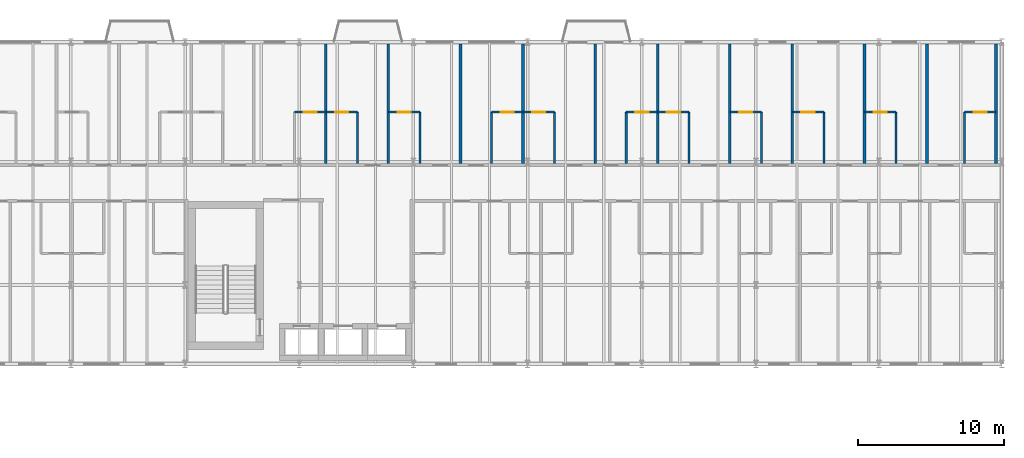
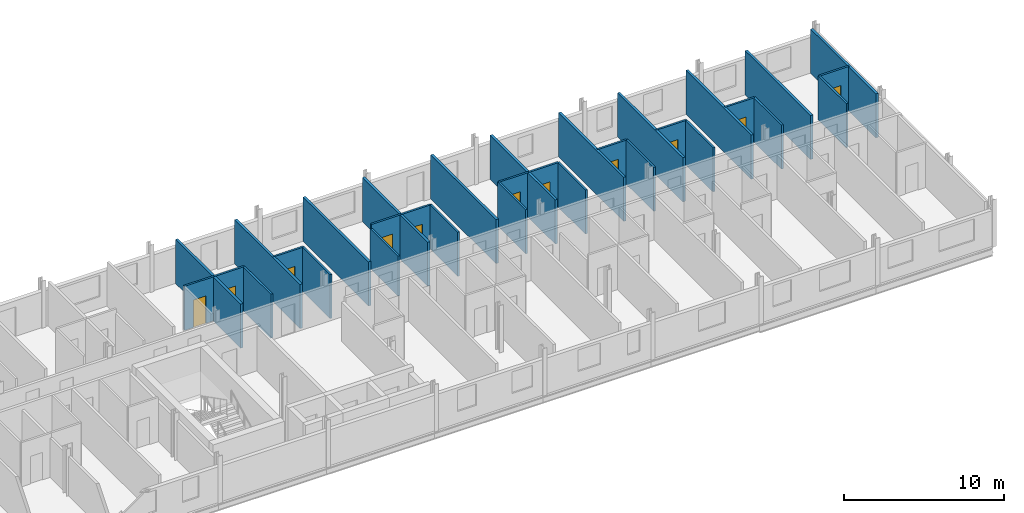
# One storey, part 30 of 34: 32 walls, 11 doors, 11 openings.
"""IFC4 building model written with IfcOpenShell, lengths in metres."""

import ifcopenshell
import ifcopenshell.guid

model = None  # the IFC model being written
_history = None  # IfcOwnerHistory: only IFC2X3 demands one
_inside = {}  # id of a spatial element -> (the spatial element, [elements in it])
_under = {}  # id of a project, library or spatial element -> (it, [spatial elements below it])
_declared = {}  # id of a project -> (the project, [libraries it declares])
_typed = {}  # id of a type object -> (the type object, [elements of that type])
_made_of = {}  # id of a material, layer set ... -> (it, [elements and type objects made of it])


def new_model(schema):
    """Start an empty IFC model of exactly this schema.

    Asked for "IFC4X3", IfcOpenShell would pick the latest addendum, in which some entities
    have other attributes; the version numbers below select the first issue.
    IFC2X3 requires an IfcOwnerHistory on every rooted entity: one is made here for all.
    """
    global model, _history
    if schema == "IFC4X3":
        model = ifcopenshell.file(schema_version=(4, 3, 0, 0))
    else:
        model = ifcopenshell.file(schema=schema)
    _inside.clear()
    _under.clear()
    _declared.clear()
    _typed.clear()
    _made_of.clear()
    _history = None
    if model.schema == "IFC2X3":
        org = make("IfcOrganization", Name="unknown")
        user = make(
            "IfcPersonAndOrganization",
            ThePerson=make("IfcPerson", FamilyName="unknown"),
            TheOrganization=org,
        )
        app = make(
            "IfcApplication",
            ApplicationDeveloper=org,
            Version="unknown",
            ApplicationFullName="unknown",
            ApplicationIdentifier="unknown",
        )
        _history = make(
            "IfcOwnerHistory",
            OwningUser=user,
            OwningApplication=app,
            ChangeAction="ADDED",
            CreationDate=0,
        )
    return model


def make(cls, **values):
    """One entity of the class cls with the attributes given. An attribute that is None is left unset."""
    return model.create_entity(
        cls, **{name: value for name, value in values.items() if value is not None}
    )


def rooted(cls, **values):
    """An entity with a GlobalId (a new one), such as an element, a storey or a relation."""
    return make(cls, GlobalId=ifcopenshell.guid.new(), OwnerHistory=_history, **values)


def si_unit(unit_type, name, prefix=None):
    """IfcSIUnit, for example si_unit("LENGTHUNIT", "METRE", prefix="MILLI")."""
    return make("IfcSIUnit", UnitType=unit_type, Prefix=prefix, Name=name)


def assignment(units):
    """IfcUnitAssignment: the units of a project."""
    return None if units is None else make("IfcUnitAssignment", Units=units)


def point(xyz):
    """IfcCartesianPoint."""
    return None if xyz is None else make("IfcCartesianPoint", Coordinates=xyz)


def direction(xyz):
    """IfcDirection."""
    return None if xyz is None else make("IfcDirection", DirectionRatios=xyz)


def frame(location, z_axis=None, x_axis=None):
    """IfcAxis2Placement3D, a coordinate frame: its origin and axes. An axis left out is left unset."""
    return make(
        "IfcAxis2Placement3D",
        Location=point(location),
        Axis=direction(z_axis),
        RefDirection=direction(x_axis),
    )


def frame_2d(location, x_axis=None):
    """IfcAxis2Placement2D, a coordinate frame in the plane: its origin and x axis."""
    return make(
        "IfcAxis2Placement2D", Location=point(location), RefDirection=direction(x_axis)
    )


def origin():
    """The frame at (0, 0, 0) with its axes left unset."""
    return frame((0.0, 0.0, 0.0))


def place(relative_to, where):
    """IfcLocalPlacement: puts the frame where relative to a parent placement (None: the world)."""
    return make(
        "IfcLocalPlacement", PlacementRelTo=relative_to, RelativePlacement=where
    )


def context(
    kind, dimensions, precision=None, world=None, true_north=None, identifier=None
):
    """IfcGeometricRepresentationContext, for example the 3D "Model" context."""
    return make(
        "IfcGeometricRepresentationContext",
        ContextIdentifier=identifier,
        ContextType=kind,
        CoordinateSpaceDimension=dimensions,
        Precision=precision,
        WorldCoordinateSystem=world,
        TrueNorth=true_north,
    )


def subcontext(parent, identifier, kind, view, scale=None):
    """IfcGeometricRepresentationSubContext, for example "Body" below "Model"."""
    return make(
        "IfcGeometricRepresentationSubContext",
        ContextIdentifier=identifier,
        ContextType=kind,
        ParentContext=parent,
        TargetScale=scale,
        TargetView=view,
    )


def project(units=None, contexts=None):
    """IfcProject with its units and contexts."""
    return rooted(
        "IfcProject",
        Name="project",
        RepresentationContexts=contexts,
        UnitsInContext=assignment(units),
    )


def spatial(cls, under=None, at=None, **own):
    """A site, building, storey or space (cls), placed at a placement, below another one or the project."""
    s = rooted(cls, ObjectPlacement=at, **own)
    if under is not None:
        _under.setdefault(under.id(), (under, []))[1].append(s)
    return s


def profile(cls, at=None, kind="AREA", **sizes):
    """A parametric profile (cls). Its sizes go by their IFC names, for example OverallWidth=200.0."""
    return make(cls, ProfileType=kind, Position=at, **sizes)


def rectangle(**sizes):
    """IfcRectangleProfileDef."""
    return profile("IfcRectangleProfileDef", **sizes)


def extrude(swept, where, along, depth):
    """IfcExtrudedAreaSolid: the profile swept, set in the frame where, extruded along a direction by depth."""
    return make(
        "IfcExtrudedAreaSolid",
        SweptArea=swept,
        Position=where,
        ExtrudedDirection=direction(along),
        Depth=depth,
    )


def shape(context_of_items, identifier, shape_type, items):
    """IfcShapeRepresentation: the items that make up one representation, for example the "Body"."""
    return make(
        "IfcShapeRepresentation",
        ContextOfItems=context_of_items,
        RepresentationIdentifier=identifier,
        RepresentationType=shape_type,
        Items=items,
    )


def material(Name=None, Category=None):
    """IfcMaterial."""
    return make("IfcMaterial", Name=Name, Category=Category)


def layer(
    of_material, thickness, ventilated=None, Name=None, Category=None, Priority=None
):
    """IfcMaterialLayer: one layer of a wall or slab, of a material (None: an air gap)."""
    return make(
        "IfcMaterialLayer",
        Material=of_material,
        LayerThickness=thickness,
        IsVentilated=ventilated,
        Name=Name,
        Category=Category,
        Priority=Priority,
    )


def layer_set(layers, Name=None):
    """IfcMaterialLayerSet."""
    return make("IfcMaterialLayerSet", MaterialLayers=layers, LayerSetName=Name)


def made_of(thing, what):
    """Note that an element or type object is made of a material, layer set ...; save() writes the relation."""
    if what is not None:
        _made_of.setdefault(what.id(), (what, []))[1].append(thing)
    return thing


def type_object(cls, material=None, **own):
    """A type object (cls), such as IfcWallType, which elements share."""
    return made_of(rooted(cls, **own), material)


def element(
    cls,
    number,
    at=None,
    inside=None,
    cuts=None,
    type_object=None,
    material=None,
    context=None,
    identifier="Body",
    shape_type=None,
    held_by="IfcProductDefinitionShape",
    body=None,
    shapes=None,
    **own,
):
    """One element of the class cls, such as IfcWall. Its Tag is "e" and its number.

    at: its placement. inside: the storey or other place that contains it. cuts: it is an
    opening in that element (IfcRelVoidsElement). A single representation is given by context,
    identifier, shape_type and body (its items); several are given by shapes. held_by: the class
    of the entity that holds the representations. save() writes the other relations.
    """
    e = rooted(cls, Tag="e%d" % number, ObjectPlacement=at, **own)
    if body is not None:
        shapes = [shape(context, identifier, shape_type, body)]
    if shapes is not None:
        e.Representation = make(held_by, Representations=shapes)
    if inside is not None:
        _inside.setdefault(inside.id(), (inside, []))[1].append(e)
    if cuts is not None:
        rooted(
            "IfcRelVoidsElement", RelatingBuildingElement=cuts, RelatedOpeningElement=e
        )
    if type_object is not None:
        _typed.setdefault(type_object.id(), (type_object, []))[1].append(e)
    return made_of(e, material)


def fill(opening, filler):
    """IfcRelFillsElement: the door or window that sits in an opening."""
    return rooted(
        "IfcRelFillsElement",
        RelatingOpeningElement=opening,
        RelatedBuildingElement=filler,
    )


def aggregate(whole, parts):
    """IfcRelAggregates: a whole, such as a stair, and the parts it consists of."""
    return rooted("IfcRelAggregates", RelatingObject=whole, RelatedObjects=parts)


def save(model, path):
    """Write the relations noted so far, then the file.

    IfcRelAggregates (storeys below a building ...), IfcRelContainedInSpatialStructure (elements
    in a storey), IfcRelDefinesByType, IfcRelAssociatesMaterial and IfcRelDeclares: one each for
    every whole, place, type object, material and project.
    """
    for whole, parts in _under.values():
        aggregate(whole, parts)
    for where, things in _inside.values():
        rooted(
            "IfcRelContainedInSpatialStructure",
            RelatedElements=things,
            RelatingStructure=where,
        )
    for kind, things in _typed.values():
        rooted("IfcRelDefinesByType", RelatedObjects=things, RelatingType=kind)
    for what, things in _made_of.values():
        rooted("IfcRelAssociatesMaterial", RelatedObjects=things, RelatingMaterial=what)
    for by, libraries in _declared.values():
        rooted("IfcRelDeclares", RelatingContext=by, RelatedDefinitions=libraries)
    model.write(path)


model = new_model("IFC4")

# Units and contexts
model_context = context("Model", 3, precision=1e-05, world=origin(), true_north=direction((0.0, 1.0)))
body_context = subcontext(model_context, "Body", "Model", "MODEL_VIEW")
ifc_project = project(units=[si_unit("LENGTHUNIT", "METRE"), si_unit("AREAUNIT", "SQUARE_METRE"), si_unit("VOLUMEUNIT", "CUBIC_METRE"), si_unit("PLANEANGLEUNIT", "RADIAN"), si_unit("MASSUNIT", "GRAM", prefix="KILO")], contexts=[model_context])

# Site, building, storey
site_placement = place(None, origin())
site = spatial("IfcSite", under=ifc_project, at=site_placement, CompositionType="ELEMENT")
building_placement = place(site_placement, origin())
building = spatial("IfcBuilding", under=site, at=building_placement, Name="Sefraquen Railside Congress Hotel", CompositionType="ELEMENT")
storey_placement = place(building_placement, frame((0.0, 0.0, 31.800048828125)))
storey = spatial("IfcBuildingStorey", under=building, at=storey_placement, Name="L07", CompositionType="ELEMENT", Elevation=31.800048828125)

# Wall, opening, door
ifc_material_1 = material(Name="Moisture-resistant gypsum board", Category="gypsum")
ifc_layer_1 = layer(ifc_material_1, 0.139892578125)
ifc_layer_set_1 = layer_set([ifc_layer_1], Name="Moisture-resistant gypsum board")
wall_type_1 = type_object("IfcWallType", Name="TW-PW-140", PredefinedType="PARTITIONING", material=ifc_layer_set_1)
wall_1_placement = place(storey_placement, frame((71.669921875, 113.199951171875, 0.0), z_axis=(0.0, 0.0, 1.0), x_axis=(1.0, 0.0, 0.0)))
wall_1 = element("IfcWall", 1, at=wall_1_placement, inside=storey, type_object=wall_type_1, Name="En-suite bathroom north wall RM-011", PredefinedType="PARTITIONING", context=body_context, shape_type="SweptSolid", body=[
    extrude(rectangle(XDim=2.150146484375, YDim=0.139892578125, at=frame_2d((1.0751953125, 0.0))), origin(), (0.0, 0.0, 1.0), 3.35986328125),
])
opening_1_placement = place(wall_1_placement, frame((0.625, 0.0, 0.0)))
opening_1 = element("IfcOpeningElement", 2, at=opening_1_placement, cuts=wall_1, Name="Opening ID-02", PredefinedType="OPENING", context=body_context, shape_type="SweptSolid", body=[
    extrude(rectangle(XDim=0.89990234375, YDim=2.10009765625, at=frame_2d((0.449951171875, 1.050048828125))), frame((0.0, 0.079833984375, 0.0), z_axis=(0.0, -1.0, 0.0), x_axis=(1.0, 0.0, 0.0)), (0.0, 0.0, 1.0), 0.159912109375),
])
ifc_material_2 = material(Name="Lacquered cedar joinery", Category="wood")
door_type = type_object("IfcDoorType", Name="TD-ID-02", OperationType="NOTDEFINED", PredefinedType="DOOR", material=ifc_material_2)
door_1_placement = place(opening_1_placement, origin())
door_1 = element("IfcDoor", 3, at=door_1_placement, inside=storey, type_object=door_type, Name="En-suite bathroom door RM-011", OperationType="SINGLE_SWING_LEFT", OverallHeight=2.10009765625, OverallWidth=0.89990234375, PredefinedType="DOOR", context=body_context, shape_type="SweptSolid", body=[
    extrude(rectangle(XDim=0.89990234375, YDim=2.10009765625, at=frame_2d((0.449951171875, 1.050048828125))), frame((0.0, 0.02490234375, 0.0), z_axis=(0.0, -1.0, 0.0), x_axis=(1.0, 0.0, 0.0)), (0.0, 0.0, 1.0), 0.050048828125),
])
fill(opening_1, door_1)

# Wall
wall_2_placement = place(storey_placement, frame((75.969970703125, 109.699951171875, 0.0), z_axis=(0.0, 0.0, 1.0), x_axis=(0.0, 1.0, 0.0)))
element("IfcWall", 4, at=wall_2_placement, inside=storey, type_object=wall_type_1, Name="En-suite bathroom east wall RM-012", PredefinedType="PARTITIONING", context=body_context, shape_type="SweptSolid", body=[
    extrude(rectangle(XDim=3.5, YDim=0.139892578125, at=frame_2d((1.75, 0.0))), origin(), (0.0, 0.0, 1.0), 3.35986328125),
])

# Wall, opening, door
wall_3_placement = place(storey_placement, frame((73.820068359375, 113.199951171875, 0.0), z_axis=(0.0, 0.0, 1.0), x_axis=(1.0, 0.0, 0.0)))
wall_3 = element("IfcWall", 5, at=wall_3_placement, inside=storey, type_object=wall_type_1, Name="En-suite bathroom north wall RM-012", PredefinedType="PARTITIONING", context=body_context, shape_type="SweptSolid", body=[
    extrude(rectangle(XDim=2.14990234375, YDim=0.139892578125, at=frame_2d((1.074951171875, 0.0))), origin(), (0.0, 0.0, 1.0), 3.35986328125),
])
opening_2_placement = place(wall_3_placement, frame((0.625, 0.0, 0.0)))
opening_2 = element("IfcOpeningElement", 6, at=opening_2_placement, cuts=wall_3, Name="Opening ID-02", PredefinedType="OPENING", context=body_context, shape_type="SweptSolid", body=[
    extrude(rectangle(XDim=0.89990234375, YDim=2.10009765625, at=frame_2d((0.449951171875, 1.050048828125))), frame((0.0, 0.079833984375, 0.0), z_axis=(0.0, -1.0, 0.0), x_axis=(1.0, 0.0, 0.0)), (0.0, 0.0, 1.0), 0.159912109375),
])
door_2_placement = place(opening_2_placement, origin())
door_2 = element("IfcDoor", 7, at=door_2_placement, inside=storey, type_object=door_type, Name="En-suite bathroom door RM-012", OperationType="SINGLE_SWING_LEFT", OverallHeight=2.10009765625, OverallWidth=0.89990234375, PredefinedType="DOOR", context=body_context, shape_type="SweptSolid", body=[
    extrude(rectangle(XDim=0.89990234375, YDim=2.10009765625, at=frame_2d((0.449951171875, 1.050048828125))), frame((0.0, 0.02490234375, 0.0), z_axis=(0.0, -1.0, 0.0), x_axis=(1.0, 0.0, 0.0)), (0.0, 0.0, 1.0), 0.050048828125),
])
fill(opening_2, door_2)

# Wall
wall_4_placement = place(storey_placement, frame((80.239990234375, 109.699951171875, 0.0), z_axis=(0.0, 0.0, 1.0), x_axis=(0.0, 1.0, 0.0)))
element("IfcWall", 8, at=wall_4_placement, inside=storey, type_object=wall_type_1, Name="En-suite bathroom east wall RM-013", PredefinedType="PARTITIONING", context=body_context, shape_type="SweptSolid", body=[
    extrude(rectangle(XDim=3.5, YDim=0.139892578125, at=frame_2d((1.75, 0.0))), origin(), (0.0, 0.0, 1.0), 3.35986328125),
])

# Wall, opening, door
wall_5_placement = place(storey_placement, frame((78.090087890625, 113.199951171875, 0.0), z_axis=(0.0, 0.0, 1.0), x_axis=(1.0, 0.0, 0.0)))
wall_5 = element("IfcWall", 9, at=wall_5_placement, inside=storey, type_object=wall_type_1, Name="En-suite bathroom north wall RM-013", PredefinedType="PARTITIONING", context=body_context, shape_type="SweptSolid", body=[
    extrude(rectangle(XDim=2.14990234375, YDim=0.139892578125, at=frame_2d((1.074951171875, 0.0))), origin(), (0.0, 0.0, 1.0), 3.35986328125),
])
opening_3_placement = place(wall_5_placement, frame((0.625, 0.0, 0.0)))
opening_3 = element("IfcOpeningElement", 10, at=opening_3_placement, cuts=wall_5, Name="Opening ID-02", PredefinedType="OPENING", context=body_context, shape_type="SweptSolid", body=[
    extrude(rectangle(XDim=0.89990234375, YDim=2.10009765625, at=frame_2d((0.449951171875, 1.050048828125))), frame((0.0, 0.079833984375, 0.0), z_axis=(0.0, -1.0, 0.0), x_axis=(1.0, 0.0, 0.0)), (0.0, 0.0, 1.0), 0.159912109375),
])
door_3_placement = place(opening_3_placement, origin())
door_3 = element("IfcDoor", 11, at=door_3_placement, inside=storey, type_object=door_type, Name="En-suite bathroom door RM-013", OperationType="SINGLE_SWING_LEFT", OverallHeight=2.10009765625, OverallWidth=0.89990234375, PredefinedType="DOOR", context=body_context, shape_type="SweptSolid", body=[
    extrude(rectangle(XDim=0.89990234375, YDim=2.10009765625, at=frame_2d((0.449951171875, 1.050048828125))), frame((0.0, 0.02490234375, 0.0), z_axis=(0.0, -1.0, 0.0), x_axis=(1.0, 0.0, 0.0)), (0.0, 0.0, 1.0), 0.050048828125),
])
fill(opening_3, door_3)

# Wall
wall_6_placement = place(storey_placement, frame((85.139892578125, 109.699951171875, 0.0), z_axis=(0.0, 0.0, 1.0), x_axis=(0.0, 1.0, 0.0)))
element("IfcWall", 12, at=wall_6_placement, inside=storey, type_object=wall_type_1, Name="En-suite bathroom west wall RM-014", PredefinedType="PARTITIONING", context=body_context, shape_type="SweptSolid", body=[
    extrude(rectangle(XDim=3.5, YDim=0.139892578125, at=frame_2d((1.75, 0.0))), origin(), (0.0, 0.0, 1.0), 3.050048828125),
])

# Wall, opening, door
wall_7_placement = place(storey_placement, frame((85.139892578125, 113.199951171875, 0.0), z_axis=(0.0, 0.0, 1.0), x_axis=(1.0, 0.0, 0.0)))
wall_7 = element("IfcWall", 13, at=wall_7_placement, inside=storey, type_object=wall_type_1, Name="En-suite bathroom north wall RM-014", PredefinedType="PARTITIONING", context=body_context, shape_type="SweptSolid", body=[
    extrude(rectangle(XDim=2.150146484375, YDim=0.139892578125, at=frame_2d((1.0751953125, 0.0))), origin(), (0.0, 0.0, 1.0), 3.35986328125),
])
opening_4_placement = place(wall_7_placement, frame((0.625, 0.0, 0.0)))
opening_4 = element("IfcOpeningElement", 14, at=opening_4_placement, cuts=wall_7, Name="Opening ID-02", PredefinedType="OPENING", context=body_context, shape_type="SweptSolid", body=[
    extrude(rectangle(XDim=0.89990234375, YDim=2.10009765625, at=frame_2d((0.449951171875, 1.050048828125))), frame((0.0, 0.079833984375, 0.0), z_axis=(0.0, -1.0, 0.0), x_axis=(1.0, 0.0, 0.0)), (0.0, 0.0, 1.0), 0.159912109375),
])
door_4_placement = place(opening_4_placement, origin())
door_4 = element("IfcDoor", 15, at=door_4_placement, inside=storey, type_object=door_type, Name="En-suite bathroom door RM-014", OperationType="SINGLE_SWING_LEFT", OverallHeight=2.10009765625, OverallWidth=0.89990234375, PredefinedType="DOOR", context=body_context, shape_type="SweptSolid", body=[
    extrude(rectangle(XDim=0.89990234375, YDim=2.10009765625, at=frame_2d((0.449951171875, 1.050048828125))), frame((0.0, 0.02490234375, 0.0), z_axis=(0.0, -1.0, 0.0), x_axis=(1.0, 0.0, 0.0)), (0.0, 0.0, 1.0), 0.050048828125),
])
fill(opening_4, door_4)

# Wall
wall_8_placement = place(storey_placement, frame((89.43994140625, 109.699951171875, 0.0), z_axis=(0.0, 0.0, 1.0), x_axis=(0.0, 1.0, 0.0)))
element("IfcWall", 16, at=wall_8_placement, inside=storey, type_object=wall_type_1, Name="En-suite bathroom east wall RM-015", PredefinedType="PARTITIONING", context=body_context, shape_type="SweptSolid", body=[
    extrude(rectangle(XDim=3.5, YDim=0.139892578125, at=frame_2d((1.75, 0.0))), origin(), (0.0, 0.0, 1.0), 3.35986328125),
])

# Wall, opening, door
wall_9_placement = place(storey_placement, frame((87.2900390625, 113.199951171875, 0.0), z_axis=(0.0, 0.0, 1.0), x_axis=(1.0, 0.0, 0.0)))
wall_9 = element("IfcWall", 17, at=wall_9_placement, inside=storey, type_object=wall_type_1, Name="En-suite bathroom north wall RM-015", PredefinedType="PARTITIONING", context=body_context, shape_type="SweptSolid", body=[
    extrude(rectangle(XDim=2.14990234375, YDim=0.139892578125, at=frame_2d((1.074951171875, 0.0))), origin(), (0.0, 0.0, 1.0), 3.35986328125),
])
opening_5_placement = place(wall_9_placement, frame((0.625, 0.0, 0.0)))
opening_5 = element("IfcOpeningElement", 18, at=opening_5_placement, cuts=wall_9, Name="Opening ID-02", PredefinedType="OPENING", context=body_context, shape_type="SweptSolid", body=[
    extrude(rectangle(XDim=0.89990234375, YDim=2.10009765625, at=frame_2d((0.449951171875, 1.050048828125))), frame((0.0, 0.079833984375, 0.0), z_axis=(0.0, -1.0, 0.0), x_axis=(1.0, 0.0, 0.0)), (0.0, 0.0, 1.0), 0.159912109375),
])
door_5_placement = place(opening_5_placement, origin())
door_5 = element("IfcDoor", 19, at=door_5_placement, inside=storey, type_object=door_type, Name="En-suite bathroom door RM-015", OperationType="SINGLE_SWING_LEFT", OverallHeight=2.10009765625, OverallWidth=0.89990234375, PredefinedType="DOOR", context=body_context, shape_type="SweptSolid", body=[
    extrude(rectangle(XDim=0.89990234375, YDim=2.10009765625, at=frame_2d((0.449951171875, 1.050048828125))), frame((0.0, 0.02490234375, 0.0), z_axis=(0.0, -1.0, 0.0), x_axis=(1.0, 0.0, 0.0)), (0.0, 0.0, 1.0), 0.050048828125),
])
fill(opening_5, door_5)

# Wall
wall_10_placement = place(storey_placement, frame((94.340087890625, 109.699951171875, 0.0), z_axis=(0.0, 0.0, 1.0), x_axis=(0.0, 1.0, 0.0)))
element("IfcWall", 20, at=wall_10_placement, inside=storey, type_object=wall_type_1, Name="En-suite bathroom west wall RM-016", PredefinedType="PARTITIONING", context=body_context, shape_type="SweptSolid", body=[
    extrude(rectangle(XDim=3.5, YDim=0.139892578125, at=frame_2d((1.75, 0.0))), origin(), (0.0, 0.0, 1.0), 3.35986328125),
])

# Wall, opening, door
wall_11_placement = place(storey_placement, frame((94.340087890625, 113.199951171875, 0.0), z_axis=(0.0, 0.0, 1.0), x_axis=(1.0, 0.0, 0.0)))
wall_11 = element("IfcWall", 21, at=wall_11_placement, inside=storey, type_object=wall_type_1, Name="En-suite bathroom north wall RM-016", PredefinedType="PARTITIONING", context=body_context, shape_type="SweptSolid", body=[
    extrude(rectangle(XDim=2.14990234375, YDim=0.139892578125, at=frame_2d((1.074951171875, 0.0))), origin(), (0.0, 0.0, 1.0), 3.35986328125),
])
opening_6_placement = place(wall_11_placement, frame((0.625, 0.0, 0.0)))
opening_6 = element("IfcOpeningElement", 22, at=opening_6_placement, cuts=wall_11, Name="Opening ID-02", PredefinedType="OPENING", context=body_context, shape_type="SweptSolid", body=[
    extrude(rectangle(XDim=0.89990234375, YDim=2.10009765625, at=frame_2d((0.449951171875, 1.050048828125))), frame((0.0, 0.079833984375, 0.0), z_axis=(0.0, -1.0, 0.0), x_axis=(1.0, 0.0, 0.0)), (0.0, 0.0, 1.0), 0.159912109375),
])
door_6_placement = place(opening_6_placement, origin())
door_6 = element("IfcDoor", 23, at=door_6_placement, inside=storey, type_object=door_type, Name="En-suite bathroom door RM-016", OperationType="SINGLE_SWING_LEFT", OverallHeight=2.10009765625, OverallWidth=0.89990234375, PredefinedType="DOOR", context=body_context, shape_type="SweptSolid", body=[
    extrude(rectangle(XDim=0.89990234375, YDim=2.10009765625, at=frame_2d((0.449951171875, 1.050048828125))), frame((0.0, 0.02490234375, 0.0), z_axis=(0.0, -1.0, 0.0), x_axis=(1.0, 0.0, 0.0)), (0.0, 0.0, 1.0), 0.050048828125),
])
fill(opening_6, door_6)

# Wall
wall_12_placement = place(storey_placement, frame((98.639892578125, 109.699951171875, 0.0), z_axis=(0.0, 0.0, 1.0), x_axis=(0.0, 1.0, 0.0)))
element("IfcWall", 24, at=wall_12_placement, inside=storey, type_object=wall_type_1, Name="En-suite bathroom east wall RM-017", PredefinedType="PARTITIONING", context=body_context, shape_type="SweptSolid", body=[
    extrude(rectangle(XDim=3.5, YDim=0.139892578125, at=frame_2d((1.75, 0.0))), origin(), (0.0, 0.0, 1.0), 3.35986328125),
])

# Wall, opening, door
wall_13_placement = place(storey_placement, frame((96.489990234375, 113.199951171875, 0.0), z_axis=(0.0, 0.0, 1.0), x_axis=(1.0, 0.0, 0.0)))
wall_13 = element("IfcWall", 25, at=wall_13_placement, inside=storey, type_object=wall_type_1, Name="En-suite bathroom north wall RM-017", PredefinedType="PARTITIONING", context=body_context, shape_type="SweptSolid", body=[
    extrude(rectangle(XDim=2.14990234375, YDim=0.139892578125, at=frame_2d((1.074951171875, 0.0))), origin(), (0.0, 0.0, 1.0), 3.35986328125),
])
opening_7_placement = place(wall_13_placement, frame((0.625, 0.0, 0.0)))
opening_7 = element("IfcOpeningElement", 26, at=opening_7_placement, cuts=wall_13, Name="Opening ID-02", PredefinedType="OPENING", context=body_context, shape_type="SweptSolid", body=[
    extrude(rectangle(XDim=0.89990234375, YDim=2.10009765625, at=frame_2d((0.449951171875, 1.050048828125))), frame((0.0, 0.079833984375, 0.0), z_axis=(0.0, -1.0, 0.0), x_axis=(1.0, 0.0, 0.0)), (0.0, 0.0, 1.0), 0.159912109375),
])
door_7_placement = place(opening_7_placement, origin())
door_7 = element("IfcDoor", 27, at=door_7_placement, inside=storey, type_object=door_type, Name="En-suite bathroom door RM-017", OperationType="SINGLE_SWING_LEFT", OverallHeight=2.10009765625, OverallWidth=0.89990234375, PredefinedType="DOOR", context=body_context, shape_type="SweptSolid", body=[
    extrude(rectangle(XDim=0.89990234375, YDim=2.10009765625, at=frame_2d((0.449951171875, 1.050048828125))), frame((0.0, 0.02490234375, 0.0), z_axis=(0.0, -1.0, 0.0), x_axis=(1.0, 0.0, 0.0)), (0.0, 0.0, 1.0), 0.050048828125),
])
fill(opening_7, door_7)

# Wall
wall_14_placement = place(storey_placement, frame((103.570068359375, 109.699951171875, 0.0), z_axis=(0.0, 0.0, 1.0), x_axis=(0.0, 1.0, 0.0)))
element("IfcWall", 28, at=wall_14_placement, inside=storey, type_object=wall_type_1, Name="En-suite bathroom east wall RM-018", PredefinedType="PARTITIONING", context=body_context, shape_type="SweptSolid", body=[
    extrude(rectangle(XDim=3.5, YDim=0.139892578125, at=frame_2d((1.75, 0.0))), origin(), (0.0, 0.0, 1.0), 3.35986328125),
])

# Wall, opening, door
wall_15_placement = place(storey_placement, frame((101.419921875, 113.199951171875, 0.0), z_axis=(0.0, 0.0, 1.0), x_axis=(1.0, 0.0, 0.0)))
wall_15 = element("IfcWall", 29, at=wall_15_placement, inside=storey, type_object=wall_type_1, Name="En-suite bathroom north wall RM-018", PredefinedType="PARTITIONING", context=body_context, shape_type="SweptSolid", body=[
    extrude(rectangle(XDim=2.150146484375, YDim=0.139892578125, at=frame_2d((1.0751953125, 0.0))), origin(), (0.0, 0.0, 1.0), 3.35986328125),
])
opening_8_placement = place(wall_15_placement, frame((0.625, 0.0, 0.0)))
opening_8 = element("IfcOpeningElement", 30, at=opening_8_placement, cuts=wall_15, Name="Opening ID-02", PredefinedType="OPENING", context=body_context, shape_type="SweptSolid", body=[
    extrude(rectangle(XDim=0.89990234375, YDim=2.10009765625, at=frame_2d((0.449951171875, 1.050048828125))), frame((0.0, 0.079833984375, 0.0), z_axis=(0.0, -1.0, 0.0), x_axis=(1.0, 0.0, 0.0)), (0.0, 0.0, 1.0), 0.159912109375),
])
door_8_placement = place(opening_8_placement, origin())
door_8 = element("IfcDoor", 31, at=door_8_placement, inside=storey, type_object=door_type, Name="En-suite bathroom door RM-018", OperationType="SINGLE_SWING_LEFT", OverallHeight=2.10009765625, OverallWidth=0.89990234375, PredefinedType="DOOR", context=body_context, shape_type="SweptSolid", body=[
    extrude(rectangle(XDim=0.89990234375, YDim=2.10009765625, at=frame_2d((0.449951171875, 1.050048828125))), frame((0.0, 0.02490234375, 0.0), z_axis=(0.0, -1.0, 0.0), x_axis=(1.0, 0.0, 0.0)), (0.0, 0.0, 1.0), 0.050048828125),
])
fill(opening_8, door_8)

# Wall
wall_16_placement = place(storey_placement, frame((107.840087890625, 109.699951171875, 0.0), z_axis=(0.0, 0.0, 1.0), x_axis=(0.0, 1.0, 0.0)))
element("IfcWall", 32, at=wall_16_placement, inside=storey, type_object=wall_type_1, Name="En-suite bathroom east wall RM-019", PredefinedType="PARTITIONING", context=body_context, shape_type="SweptSolid", body=[
    extrude(rectangle(XDim=3.5, YDim=0.139892578125, at=frame_2d((1.75, 0.0))), origin(), (0.0, 0.0, 1.0), 3.35986328125),
])

# Wall, opening, door
wall_17_placement = place(storey_placement, frame((105.68994140625, 113.199951171875, 0.0), z_axis=(0.0, 0.0, 1.0), x_axis=(1.0, 0.0, 0.0)))
wall_17 = element("IfcWall", 33, at=wall_17_placement, inside=storey, type_object=wall_type_1, Name="En-suite bathroom north wall RM-019", PredefinedType="PARTITIONING", context=body_context, shape_type="SweptSolid", body=[
    extrude(rectangle(XDim=2.150146484375, YDim=0.139892578125, at=frame_2d((1.0751953125, 0.0))), origin(), (0.0, 0.0, 1.0), 3.35986328125),
])
opening_9_placement = place(wall_17_placement, frame((0.625, 0.0, 0.0)))
opening_9 = element("IfcOpeningElement", 34, at=opening_9_placement, cuts=wall_17, Name="Opening ID-02", PredefinedType="OPENING", context=body_context, shape_type="SweptSolid", body=[
    extrude(rectangle(XDim=0.89990234375, YDim=2.10009765625, at=frame_2d((0.449951171875, 1.050048828125))), frame((0.0, 0.079833984375, 0.0), z_axis=(0.0, -1.0, 0.0), x_axis=(1.0, 0.0, 0.0)), (0.0, 0.0, 1.0), 0.159912109375),
])
door_9_placement = place(opening_9_placement, origin())
door_9 = element("IfcDoor", 35, at=door_9_placement, inside=storey, type_object=door_type, Name="En-suite bathroom door RM-019", OperationType="SINGLE_SWING_LEFT", OverallHeight=2.10009765625, OverallWidth=0.89990234375, PredefinedType="DOOR", context=body_context, shape_type="SweptSolid", body=[
    extrude(rectangle(XDim=0.89990234375, YDim=2.10009765625, at=frame_2d((0.449951171875, 1.050048828125))), frame((0.0, 0.02490234375, 0.0), z_axis=(0.0, -1.0, 0.0), x_axis=(1.0, 0.0, 0.0)), (0.0, 0.0, 1.0), 0.050048828125),
])
fill(opening_9, door_9)

# Wall
wall_18_placement = place(storey_placement, frame((112.77001953125, 109.699951171875, 0.0), z_axis=(0.0, 0.0, 1.0), x_axis=(0.0, 1.0, 0.0)))
element("IfcWall", 36, at=wall_18_placement, inside=storey, type_object=wall_type_1, Name="En-suite bathroom east wall RM-020", PredefinedType="PARTITIONING", context=body_context, shape_type="SweptSolid", body=[
    extrude(rectangle(XDim=3.5, YDim=0.139892578125, at=frame_2d((1.75, 0.0))), origin(), (0.0, 0.0, 1.0), 3.35986328125),
])

# Wall, opening, door
wall_19_placement = place(storey_placement, frame((110.6201171875, 113.199951171875, 0.0), z_axis=(0.0, 0.0, 1.0), x_axis=(1.0, 0.0, 0.0)))
wall_19 = element("IfcWall", 37, at=wall_19_placement, inside=storey, type_object=wall_type_1, Name="En-suite bathroom north wall RM-020", PredefinedType="PARTITIONING", context=body_context, shape_type="SweptSolid", body=[
    extrude(rectangle(XDim=2.14990234375, YDim=0.139892578125, at=frame_2d((1.074951171875, 0.0))), origin(), (0.0, 0.0, 1.0), 3.35986328125),
])
opening_10_placement = place(wall_19_placement, frame((0.625, 0.0, 0.0)))
opening_10 = element("IfcOpeningElement", 38, at=opening_10_placement, cuts=wall_19, Name="Opening ID-02", PredefinedType="OPENING", context=body_context, shape_type="SweptSolid", body=[
    extrude(rectangle(XDim=0.89990234375, YDim=2.10009765625, at=frame_2d((0.449951171875, 1.050048828125))), frame((0.0, 0.079833984375, 0.0), z_axis=(0.0, -1.0, 0.0), x_axis=(1.0, 0.0, 0.0)), (0.0, 0.0, 1.0), 0.159912109375),
])
door_10_placement = place(opening_10_placement, origin())
door_10 = element("IfcDoor", 39, at=door_10_placement, inside=storey, type_object=door_type, Name="En-suite bathroom door RM-020", OperationType="SINGLE_SWING_LEFT", OverallHeight=2.10009765625, OverallWidth=0.89990234375, PredefinedType="DOOR", context=body_context, shape_type="SweptSolid", body=[
    extrude(rectangle(XDim=0.89990234375, YDim=2.10009765625, at=frame_2d((0.449951171875, 1.050048828125))), frame((0.0, 0.02490234375, 0.0), z_axis=(0.0, -1.0, 0.0), x_axis=(1.0, 0.0, 0.0)), (0.0, 0.0, 1.0), 0.050048828125),
])
fill(opening_10, door_10)

# Wall
wall_20_placement = place(storey_placement, frame((117.449951171875, 109.699951171875, 0.0), z_axis=(0.0, 0.0, 1.0), x_axis=(0.0, 1.0, 0.0)))
element("IfcWall", 40, at=wall_20_placement, inside=storey, type_object=wall_type_1, Name="En-suite bathroom west wall RM-021", PredefinedType="PARTITIONING", context=body_context, shape_type="SweptSolid", body=[
    extrude(rectangle(XDim=3.5, YDim=0.139892578125, at=frame_2d((1.75, 0.0))), origin(), (0.0, 0.0, 1.0), 3.35986328125),
])

# Wall, opening, door
wall_21_placement = place(storey_placement, frame((117.449951171875, 113.199951171875, 0.0), z_axis=(0.0, 0.0, 1.0), x_axis=(1.0, 0.0, 0.0)))
wall_21 = element("IfcWall", 41, at=wall_21_placement, inside=storey, type_object=wall_type_1, Name="En-suite bathroom north wall RM-021", PredefinedType="PARTITIONING", context=body_context, shape_type="SweptSolid", body=[
    extrude(rectangle(XDim=2.150146484375, YDim=0.139892578125, at=frame_2d((1.0751953125, 0.0))), origin(), (0.0, 0.0, 1.0), 3.35986328125),
])
opening_11_placement = place(wall_21_placement, frame((0.625, 0.0, 0.0)))
opening_11 = element("IfcOpeningElement", 42, at=opening_11_placement, cuts=wall_21, Name="Opening ID-02", PredefinedType="OPENING", context=body_context, shape_type="SweptSolid", body=[
    extrude(rectangle(XDim=0.89990234375, YDim=2.10009765625, at=frame_2d((0.449951171875, 1.050048828125))), frame((0.0, 0.079833984375, 0.0), z_axis=(0.0, -1.0, 0.0), x_axis=(1.0, 0.0, 0.0)), (0.0, 0.0, 1.0), 0.159912109375),
])
door_11_placement = place(opening_11_placement, origin())
door_11 = element("IfcDoor", 43, at=door_11_placement, inside=storey, type_object=door_type, Name="En-suite bathroom door RM-021", OperationType="SINGLE_SWING_LEFT", OverallHeight=2.10009765625, OverallWidth=0.89990234375, PredefinedType="DOOR", context=body_context, shape_type="SweptSolid", body=[
    extrude(rectangle(XDim=0.89990234375, YDim=2.10009765625, at=frame_2d((0.449951171875, 1.050048828125))), frame((0.0, 0.02490234375, 0.0), z_axis=(0.0, -1.0, 0.0), x_axis=(1.0, 0.0, 0.0)), (0.0, 0.0, 1.0), 0.050048828125),
])
fill(opening_11, door_11)

# Walls
ifc_material_3 = material(Name="Acoustic gypsum board on metal stud", Category="gypsum")
ifc_layer_2 = layer(ifc_material_3, 0.179931640625)
ifc_layer_set_2 = layer_set([ifc_layer_2], Name="Acoustic gypsum board on metal stud")
wall_type_2 = type_object("IfcWallType", Name="TW-PW-180", PredefinedType="PARTITIONING", material=ifc_layer_set_2)
for number, where, z_axis, x_axis, name in (
    (44, (73.820068359375, 109.699951171875, 0.0), (0.0, 0.0, 1.0), (0.0, 1.0, 0.0), "Guest room demising wall RM-011"),
    (45, (78.090087890625, 109.699951171875, 0.0), (0.0, 0.0, 1.0), (0.0, 1.0, 0.0), "Guest room demising wall RM-012"),
    (46, (83.02001953125, 109.699951171875, 0.0), (0.0, 0.0, 1.0), (0.0, 1.0, 0.0), "Guest room demising wall RM-013"),
    (47, (87.2900390625, 109.699951171875, 0.0), (0.0, 0.0, 1.0), (0.0, 1.0, 0.0), "Guest room demising wall RM-014"),
    (48, (92.219970703125, 109.699951171875, 0.0), (0.0, 0.0, 1.0), (0.0, 1.0, 0.0), "Guest room demising wall RM-015"),
    (49, (96.489990234375, 109.699951171875, 0.0), (0.0, 0.0, 1.0), (0.0, 1.0, 0.0), "Guest room demising wall RM-016"),
    (50, (101.419921875, 109.699951171875, 0.0), (0.0, 0.0, 1.0), (0.0, 1.0, 0.0), "Guest room demising wall RM-017"),
    (51, (105.68994140625, 109.699951171875, 0.0), (0.0, 0.0, 1.0), (0.0, 1.0, 0.0), "Guest room demising wall RM-018"),
    (52, (110.6201171875, 109.699951171875, 0.0), (0.0, 0.0, 1.0), (0.0, 1.0, 0.0), "Guest room demising wall RM-019"),
    (53, (114.889892578125, 109.699951171875, 0.0), (0.0, 0.0, 1.0), (0.0, 1.0, 0.0), "Guest room demising wall RM-020"),
    (54, (119.60009765625, 109.699951171875, 0.0), (0.0, 0.0, 1.0), (0.0, 1.0, 0.0), "Guest room demising wall RM-021"),
):
    element("IfcWall", number, at=place(storey_placement, frame(where, z_axis=z_axis, x_axis=x_axis)), inside=storey, type_object=wall_type_2, Name=name, PredefinedType="PARTITIONING", context=body_context, shape_type="SweptSolid", body=[
        extrude(rectangle(XDim=8.150146484375, YDim=0.179931640625, at=frame_2d((4.0751953125, 0.0))), origin(), (0.0, 0.0, 1.0), 3.35986328125),
    ])

save(model, "model.ifc")
